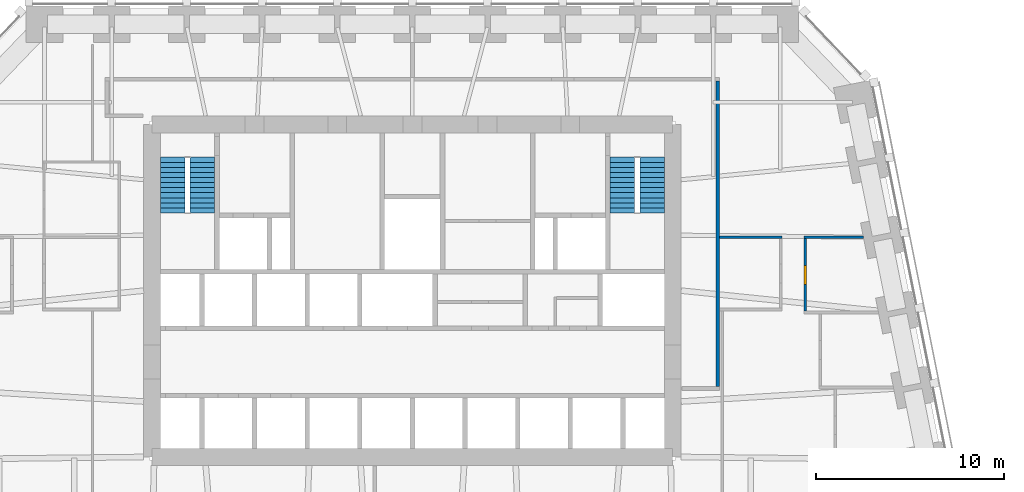
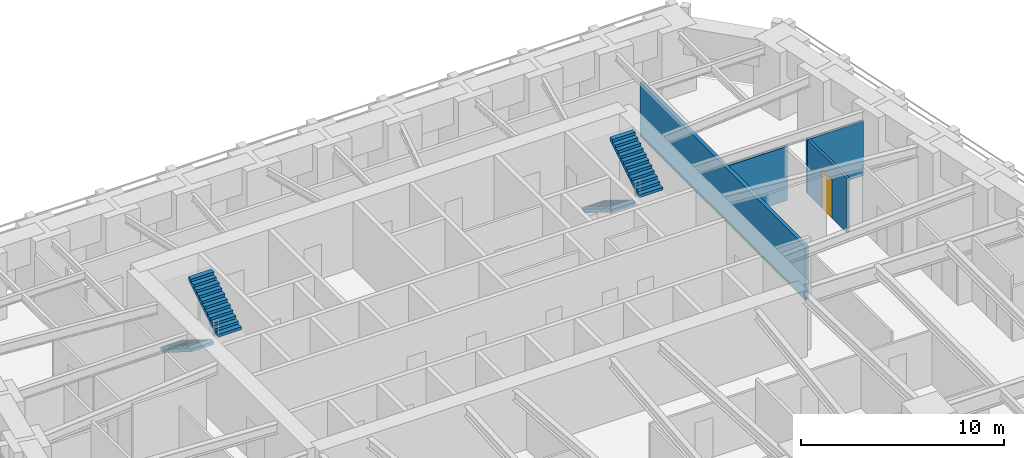
# One storey, part 8 of 10: 4 stair flights, 4 walls, 1 door, 1 opening, 2 elements without a shape of their own.
"""IFC4 building model written with IfcOpenShell, lengths in metres."""

from ifc_helpers import new_model, si_unit, direction, frame, frame_2d, origin, place, context, subcontext, project, spatial, polyline, rectangle, outline, extrude, material, layer, layer_set, type_object, element, fill, aggregate, save


model = new_model("IFC4")

# Units and contexts
model_context = context("Model", 3, precision=1e-05, world=origin(), true_north=direction((0.0, 1.0)))
body_context = subcontext(model_context, "Body", "Model", "MODEL_VIEW")
ifc_project = project(units=[si_unit("LENGTHUNIT", "METRE"), si_unit("AREAUNIT", "SQUARE_METRE"), si_unit("VOLUMEUNIT", "CUBIC_METRE"), si_unit("PLANEANGLEUNIT", "RADIAN"), si_unit("MASSUNIT", "GRAM", prefix="KILO")], contexts=[model_context])

# Site, building, storey
site_placement = place(None, origin())
site = spatial("IfcSite", under=ifc_project, at=site_placement, CompositionType="ELEMENT")
building_placement = place(site_placement, origin())
building = spatial("IfcBuilding", under=site, at=building_placement, Name="Isbrekke Arena Tower", CompositionType="ELEMENT")
storey_placement = place(building_placement, frame((0.0, 0.0, 68.0)))
storey = spatial("IfcBuildingStorey", under=building, at=storey_placement, Name="L14", CompositionType="ELEMENT", Elevation=68.0)

# Walls
ifc_material_1 = material(Name="Gypsum board partition on steel studs", Category="steel")
ifc_layer_1 = layer(ifc_material_1, 0.14990234375)
ifc_layer_set_1 = layer_set([ifc_layer_1], Name="IW1 PARTITION 150")
wall_type_1 = type_object("IfcWallType", Name="IW1 PARTITION 150", PredefinedType="PARTITIONING", material=ifc_layer_set_1)
wall_1_placement = place(storey_placement, frame((16.35009765625, 17.840087890625, 0.0), z_axis=(0.0, 0.0, 1.0), x_axis=(1.0, 0.0, 0.0)))
element("IfcWall", 1, at=wall_1_placement, inside=storey, type_object=wall_type_1, Name="IW1 partition 150 L14", PredefinedType="PARTITIONING", context=body_context, shape_type="SweptSolid", body=[
    extrude(rectangle(XDim=3.324951171875, YDim=0.14990234375, at=frame_2d((1.66259765625, 0.0))), origin(), (0.0, 0.0, 1.0), 3.25),
])
wall_2_placement = place(storey_placement, frame((20.824951171875, 17.840087890625, 0.0), z_axis=(0.0, 0.0, 1.0), x_axis=(1.0, 0.0, 0.0)))
element("IfcWall", 2, at=wall_2_placement, inside=storey, type_object=wall_type_1, Name="IW1 partition 150 L14", PredefinedType="PARTITIONING", context=body_context, shape_type="SweptSolid", body=[
    extrude(rectangle(XDim=3.17138671875, YDim=0.14990234375, at=frame_2d((1.585693359375, 0.0))), origin(), (0.0, 0.0, 1.0), 3.25),
])

# Wall, opening, door
wall_3_placement = place(storey_placement, frame((20.89990234375, 13.9150390625, 0.0), z_axis=(0.0, 0.0, 1.0), x_axis=(0.0, 1.0, 0.0)))
wall_3 = element("IfcWall", 3, at=wall_3_placement, inside=storey, type_object=wall_type_1, Name="IW1 partition 150 L14", PredefinedType="PARTITIONING", context=body_context, shape_type="SweptSolid", body=[
    extrude(rectangle(XDim=3.849853515625, YDim=0.14990234375, at=frame_2d((1.9248046875, 0.0))), origin(), (0.0, 0.0, 1.0), 3.25),
])
opening_placement = place(wall_3_placement, frame((1.425048828125, 0.0, 0.0)))
opening = element("IfcOpeningElement", 4, at=opening_placement, cuts=wall_3, Name="Opening D10", PredefinedType="OPENING", context=body_context, shape_type="SweptSolid", body=[
    extrude(rectangle(XDim=1.0, YDim=2.300048828125, at=frame_2d((0.5, 1.14990234375))), frame((0.0, 0.08984375, 0.0), z_axis=(0.0, -1.0, 0.0), x_axis=(1.0, 0.0, 0.0)), (0.0, 0.0, 1.0), 0.1796875),
])
ifc_material_2 = material(Name="Timber door", Category="wood")
door_type = type_object("IfcDoorType", Name="D10 OFFICE DOOR 1000 x 2300", OperationType="SINGLE_SWING_LEFT", PredefinedType="DOOR", material=ifc_material_2)
door_placement = place(opening_placement, origin())
door = element("IfcDoor", 5, at=door_placement, inside=storey, type_object=door_type, Name="D10 office door L14", OperationType="SINGLE_SWING_LEFT", OverallHeight=2.300048828125, OverallWidth=1.0, PredefinedType="DOOR", context=body_context, shape_type="SweptSolid", body=[
    extrude(rectangle(XDim=1.0, YDim=2.300048828125, at=frame_2d((0.5, 1.14990234375))), frame((0.0, 0.07470703125, 0.0), z_axis=(0.0, -1.0, 0.0), x_axis=(1.0, 0.0, 0.0)), (0.0, 0.0, 1.0), 0.1494140625),
])
fill(opening, door)

# Wall
ifc_material_3 = material(Name="Gypsum board fire-cell wall on steel studs, two layers each side", Category="steel")
ifc_layer_2 = layer(ifc_material_3, 0.199951171875)
ifc_layer_set_2 = layer_set([ifc_layer_2], Name="IW3 FIRE-CELL WALL 200")
wall_type_2 = type_object("IfcWallType", Name="IW3 FIRE-CELL WALL 200", PredefinedType="PARTITIONING", material=ifc_layer_set_2)
wall_4_placement = place(storey_placement, frame((16.25, 9.89990234375, 0.0), z_axis=(0.0, 0.0, 1.0), x_axis=(0.0, 1.0, 0.0)))
element("IfcWall", 6, at=wall_4_placement, inside=storey, type_object=wall_type_2, Name="IW3 fire-cell wall 200 L14", PredefinedType="PARTITIONING", context=body_context, shape_type="SweptSolid", body=[
    extrude(rectangle(XDim=16.25, YDim=0.199951171875, at=frame_2d((8.125, 0.0))), origin(), (0.0, 0.0, 1.0), 3.25),
])

# Stair, stair flights
ifc_material_4 = material(Name="Concrete B45 (C45/55) precast", Category="concrete")
stair_type = type_object("IfcStairType", Name="ST40 STAIR 1300 WIDE, 24 RISERS 167", PredefinedType="HALF_TURN_STAIR", material=ifc_material_4)
stair_1_placement = place(storey_placement, origin())
stair_1 = element("IfcStair", 7, at=stair_1_placement, inside=storey, type_object=stair_type, Name="ST1 stair L14", PredefinedType="HALF_TURN_STAIR")
ifc_material_5 = material(Name="Concrete B45 (C45/55) precast", Category="concrete")
stair_flight_type = type_object("IfcStairFlightType", Name="SF 1300 FLIGHT", PredefinedType="STRAIGHT", material=ifc_material_5)
stair_flight_1_placement = place(storey_placement, frame((-12.75, 22.10009765625, 0.0), z_axis=(0.0, 0.0, 1.0), x_axis=(0.0, -1.0, 0.0)))
stair_flight_1 = element("IfcStairFlight", 8, at=stair_flight_1_placement, type_object=stair_flight_type, Name="ST1 flight 1", NumberOfRisers=12, NumberOfTreads=11, PredefinedType="STRAIGHT", RiserHeight=0.166666667, TreadLength=0.27, context=body_context, shape_type="SweptSolid", body=[
    extrude(outline(polyline([(0.0, 0.0), (0.0, 0.166748046875), (0.27001953125, 0.166748046875), (0.27001953125, 0.333251953125), (0.5400390625, 0.333251953125), (0.5400390625, 0.5), (0.81005859375, 0.5), (0.81005859375, 0.666748046875), (1.080078125, 0.666748046875), (1.080078125, 0.833251953125), (1.35009765625, 0.833251953125), (1.35009765625, 1.0), (1.6201171875, 1.0), (1.6201171875, 1.166748046875), (1.889892578125, 1.166748046875), (1.889892578125, 1.333251953125), (2.159912109375, 1.333251953125), (2.159912109375, 1.5), (2.429931640625, 1.5), (2.429931640625, 1.666748046875), (2.699951171875, 1.666748046875), (2.699951171875, 1.833251953125), (2.969970703125, 1.833251953125), (2.969970703125, 2.0), (2.969970703125, 1.6572265625), (0.285400390625, 0.0), (0.0, 0.0)])), frame((0.0, 0.64990234375, 0.0), z_axis=(0.0, -1.0, 0.0), x_axis=(1.0, 0.0, 0.0)), (0.0, 0.0, 1.0), 1.300048828125),
])
stair_flight_2_placement = place(storey_placement, frame((-11.175048828125, 19.1298828125, 2.0), z_axis=(0.0, 0.0, 1.0), x_axis=(0.0, 1.0, 0.0)))
stair_flight_2 = element("IfcStairFlight", 9, at=stair_flight_2_placement, type_object=stair_flight_type, Name="ST1 flight 2", NumberOfRisers=12, NumberOfTreads=11, PredefinedType="STRAIGHT", RiserHeight=0.166666667, TreadLength=0.27, context=body_context, shape_type="SweptSolid", body=[
    extrude(outline(polyline([(0.0, 0.0), (0.0, 0.166748046875), (0.27001953125, 0.166748046875), (0.27001953125, 0.333251953125), (0.5400390625, 0.333251953125), (0.5400390625, 0.5), (0.81005859375, 0.5), (0.81005859375, 0.666748046875), (1.080078125, 0.666748046875), (1.080078125, 0.833251953125), (1.35009765625, 0.833251953125), (1.35009765625, 1.0), (1.6201171875, 1.0), (1.6201171875, 1.166748046875), (1.889892578125, 1.166748046875), (1.889892578125, 1.333251953125), (2.159912109375, 1.333251953125), (2.159912109375, 1.5), (2.429931640625, 1.5), (2.429931640625, 1.666748046875), (2.699951171875, 1.666748046875), (2.699951171875, 1.833251953125), (2.969970703125, 1.833251953125), (2.969970703125, 2.0), (2.969970703125, 1.6572265625), (0.285400390625, 0.0), (0.0, 0.0)])), frame((0.0, 0.64990234375, 0.0), z_axis=(0.0, -1.0, 0.0), x_axis=(1.0, 0.0, 0.0)), (0.0, 0.0, 1.0), 1.300048828125),
])
aggregate(stair_1, [stair_flight_1, stair_flight_2])

stair_2_placement = place(storey_placement, origin())
stair_2 = element("IfcStair", 10, at=stair_2_placement, inside=storey, type_object=stair_type, Name="ST2 stair L14", PredefinedType="HALF_TURN_STAIR")
stair_flight_3_placement = place(storey_placement, frame((11.175048828125, 22.10009765625, 0.0), z_axis=(0.0, 0.0, 1.0), x_axis=(0.0, -1.0, 0.0)))
stair_flight_3 = element("IfcStairFlight", 11, at=stair_flight_3_placement, type_object=stair_flight_type, Name="ST2 flight 1", NumberOfRisers=12, NumberOfTreads=11, PredefinedType="STRAIGHT", RiserHeight=0.166666667, TreadLength=0.27, context=body_context, shape_type="SweptSolid", body=[
    extrude(outline(polyline([(0.0, 0.0), (0.0, 0.166748046875), (0.27001953125, 0.166748046875), (0.27001953125, 0.333251953125), (0.5400390625, 0.333251953125), (0.5400390625, 0.5), (0.81005859375, 0.5), (0.81005859375, 0.666748046875), (1.080078125, 0.666748046875), (1.080078125, 0.833251953125), (1.35009765625, 0.833251953125), (1.35009765625, 1.0), (1.6201171875, 1.0), (1.6201171875, 1.166748046875), (1.889892578125, 1.166748046875), (1.889892578125, 1.333251953125), (2.159912109375, 1.333251953125), (2.159912109375, 1.5), (2.429931640625, 1.5), (2.429931640625, 1.666748046875), (2.699951171875, 1.666748046875), (2.699951171875, 1.833251953125), (2.969970703125, 1.833251953125), (2.969970703125, 2.0), (2.969970703125, 1.6572265625), (0.285400390625, 0.0), (0.0, 0.0)])), frame((0.0, 0.64990234375, 0.0), z_axis=(0.0, -1.0, 0.0), x_axis=(1.0, 0.0, 0.0)), (0.0, 0.0, 1.0), 1.300048828125),
])
stair_flight_4_placement = place(storey_placement, frame((12.75, 19.1298828125, 2.0), z_axis=(0.0, 0.0, 1.0), x_axis=(0.0, 1.0, 0.0)))
stair_flight_4 = element("IfcStairFlight", 12, at=stair_flight_4_placement, type_object=stair_flight_type, Name="ST2 flight 2", NumberOfRisers=12, NumberOfTreads=11, PredefinedType="STRAIGHT", RiserHeight=0.166666667, TreadLength=0.27, context=body_context, shape_type="SweptSolid", body=[
    extrude(outline(polyline([(0.0, 0.0), (0.0, 0.166748046875), (0.27001953125, 0.166748046875), (0.27001953125, 0.333251953125), (0.5400390625, 0.333251953125), (0.5400390625, 0.5), (0.81005859375, 0.5), (0.81005859375, 0.666748046875), (1.080078125, 0.666748046875), (1.080078125, 0.833251953125), (1.35009765625, 0.833251953125), (1.35009765625, 1.0), (1.6201171875, 1.0), (1.6201171875, 1.166748046875), (1.889892578125, 1.166748046875), (1.889892578125, 1.333251953125), (2.159912109375, 1.333251953125), (2.159912109375, 1.5), (2.429931640625, 1.5), (2.429931640625, 1.666748046875), (2.699951171875, 1.666748046875), (2.699951171875, 1.833251953125), (2.969970703125, 1.833251953125), (2.969970703125, 2.0), (2.969970703125, 1.6572265625), (0.285400390625, 0.0), (0.0, 0.0)])), frame((0.0, 0.64990234375, 0.0), z_axis=(0.0, -1.0, 0.0), x_axis=(1.0, 0.0, 0.0)), (0.0, 0.0, 1.0), 1.300048828125),
])
aggregate(stair_2, [stair_flight_3, stair_flight_4])

save(model, "model.ifc")
